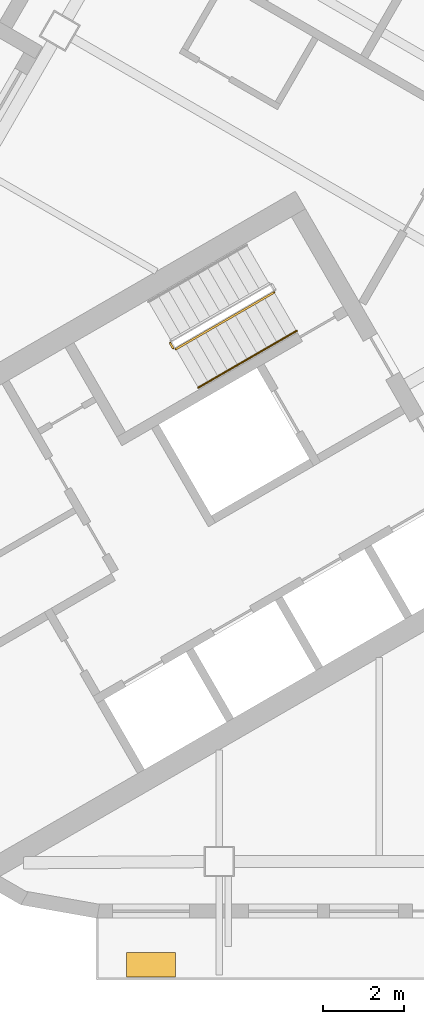
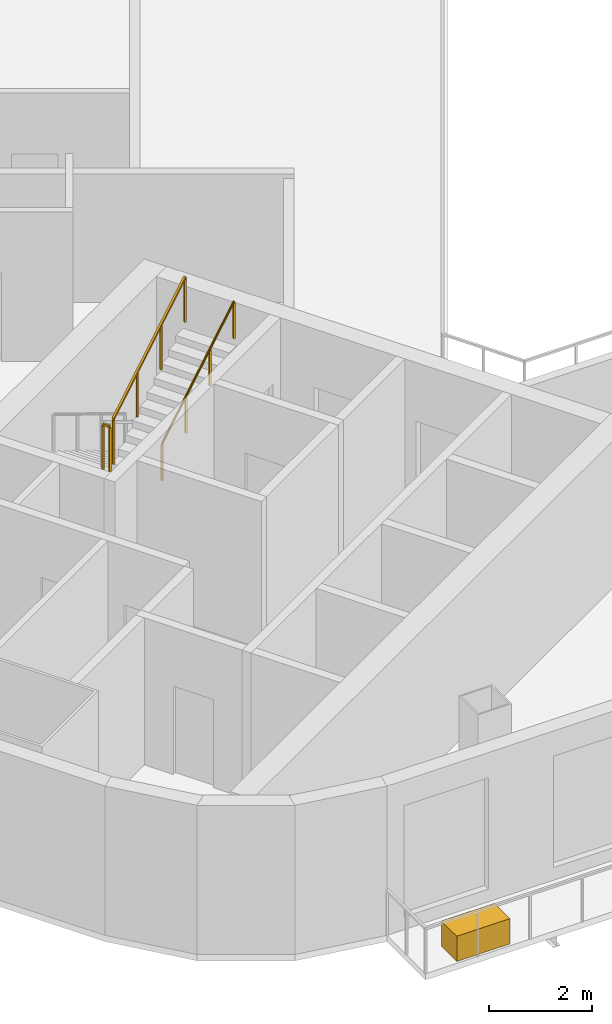
# One storey, part 9 of 14: 3 railings, 1 covering.
"""IFC4 building model written with IfcOpenShell, lengths in metres."""

from ifc_helpers import new_model, si_unit, direction, frame, origin, origin_2d, place, context, subcontext, project, spatial, rectangle, circle, extrude, material, type_object, element, save


model = new_model("IFC4")

# Units and contexts
model_context = context("Model", 3, precision=1e-05, world=origin(), true_north=direction((0.0, 1.0)))
body_context = subcontext(model_context, "Body", "Model", "MODEL_VIEW")
ifc_project = project(units=[si_unit("LENGTHUNIT", "METRE"), si_unit("AREAUNIT", "SQUARE_METRE"), si_unit("VOLUMEUNIT", "CUBIC_METRE"), si_unit("PLANEANGLEUNIT", "RADIAN"), si_unit("MASSUNIT", "GRAM", prefix="KILO")], contexts=[model_context])

# Site, building, storey
site_placement = place(None, origin())
site = spatial("IfcSite", under=ifc_project, at=site_placement, CompositionType="ELEMENT")
building_placement = place(site_placement, origin())
building = spatial("IfcBuilding", under=site, at=building_placement, Name="Apuvela Tower Hotel", CompositionType="ELEMENT")
storey_placement = place(building_placement, frame((0.0, 0.0, 209.5)))
storey = spatial("IfcBuildingStorey", under=building, at=storey_placement, Name="L51", CompositionType="ELEMENT", Elevation=209.5)

# Railings
ifc_material_1 = material(Name="Steel S275 balustrade", Category="steel")
railing_type_1 = type_object("IfcRailingType", Name="COR-GUARD-1100", PredefinedType="GUARDRAIL", material=ifc_material_1)
railing_1_placement = place(storey_placement, frame((-17.01220703125, -5.43408203125, 1.85009765625)))
element("IfcRailing", 1, at=railing_1_placement, inside=storey, type_object=railing_type_1, Name="L51 ST2 stair guard 2", PredefinedType="GUARDRAIL", context=body_context, shape_type="SweptSolid", body=[
    extrude(rectangle(XDim=0.048095703125, YDim=0.048095703125, at=origin_2d()), frame((0.0, 0.0, 1.076171875), z_axis=(0.499816412211, -0.866131372301, 0.0), x_axis=(0.866131372301, 0.499816412211, 0.0)), (0.0, 0.0, 1.0), 0.14990234375),
    extrude(rectangle(XDim=0.0419921875, YDim=0.0419921875, at=origin_2d()), origin(), (0.0, 0.0, 1.0), 1.052001953125),
    extrude(rectangle(XDim=0.0419921875, YDim=0.0419921875, at=origin_2d()), frame((0.074951171875, -0.1298828125, 0.0)), (0.0, 0.0, 1.0), 1.052001953125),
])
railing_2_placement = place(storey_placement, frame((-16.868896484375, -5.582275390625, 2.01806640625)))
element("IfcRailing", 2, at=railing_2_placement, inside=storey, type_object=railing_type_1, Name="L51 ST2 stair guard 3", PredefinedType="GUARDRAIL", context=body_context, shape_type="SweptSolid", body=[
    extrude(rectangle(XDim=0.048095703125, YDim=0.048095703125, at=origin_2d()), frame((0.0, 0.0, 1.076171875), z_axis=(0.742390482028, 0.42860119049, 0.514934356695), x_axis=(-0.49998411664, 0.866034573852, 0.0)), (0.0, 0.0, 1.0), 3.26611328125),
    extrude(rectangle(XDim=0.0419921875, YDim=0.0419921875, at=origin_2d()), origin(), (0.0, 0.0, 1.0), 1.052001953125),
    extrude(rectangle(XDim=0.0419921875, YDim=0.0419921875, at=origin_2d()), frame((0.808349609375, 0.466552734375, 0.560546875)), (0.0, 0.0, 1.0), 1.052001953125),
    extrude(rectangle(XDim=0.0419921875, YDim=0.0419921875, at=origin_2d()), frame((1.616455078125, 0.933349609375, 1.121337890625)), (0.0, 0.0, 1.0), 1.052001953125),
    extrude(rectangle(XDim=0.0419921875, YDim=0.0419921875, at=origin_2d()), frame((2.4248046875, 1.39990234375, 1.681884765625)), (0.0, 0.0, 1.0), 1.052001953125),
])
ifc_material_2 = material(Name="Stainless steel 316 handrail", Category="steel")
railing_type_2 = type_object("IfcRailingType", Name="COR-HANDRAIL-900", PredefinedType="HANDRAIL", material=ifc_material_2)
railing_3_placement = place(storey_placement, frame((-16.31884765625, -6.534912109375, 2.01806640625)))
element("IfcRailing", 3, at=railing_3_placement, inside=storey, type_object=railing_type_2, Name="L51 ST2 stair handrail 2", PredefinedType="HANDRAIL", context=body_context, shape_type="SweptSolid", body=[
    extrude(circle(Radius=0.02392578125, at=origin_2d()), frame((0.0, 0.0, 0.8759765625), z_axis=(0.742390482028, 0.42860119049, 0.514934356695), x_axis=(-0.49998411664, 0.866034573852, 0.0)), (0.0, 0.0, 1.0), 3.26611328125),
    extrude(rectangle(XDim=0.0419921875, YDim=0.0419921875, at=origin_2d()), origin(), (0.0, 0.0, 1.0), 0.851806640625),
    extrude(rectangle(XDim=0.0419921875, YDim=0.0419921875, at=origin_2d()), frame((0.808349609375, 0.466552734375, 0.560546875)), (0.0, 0.0, 1.0), 0.851806640625),
    extrude(rectangle(XDim=0.0419921875, YDim=0.0419921875, at=origin_2d()), frame((1.616455078125, 0.933349609375, 1.121337890625)), (0.0, 0.0, 1.0), 0.851806640625),
    extrude(rectangle(XDim=0.0419921875, YDim=0.0419921875, at=origin_2d()), frame((2.4248046875, 1.39990234375, 1.681884765625)), (0.0, 0.0, 1.0), 0.851806640625),
])

# Covering
ifc_material_3 = material(Name="Planting substrate and soil, planted")
covering_type = type_object("IfcCoveringType", Name="ENV-PLANTER-1200x600", PredefinedType="USERDEFINED", material=ifc_material_3)
covering_placement = place(storey_placement, frame((-17.485107421875, -20.780029296875, 0.0), z_axis=(0.0, 0.0, 1.0), x_axis=(1.0, 0.0, 0.0)))
element("IfcCovering", 4, at=covering_placement, inside=storey, type_object=covering_type, Name="Planter S1", ObjectType="PLANTER", PredefinedType="USERDEFINED", context=body_context, shape_type="SweptSolid", body=[
    extrude(rectangle(XDim=1.199951171875, YDim=0.60009765625, at=origin_2d()), origin(), (0.0, 0.0, 1.0), 0.60009765625),
])

save(model, "model.ifc")
